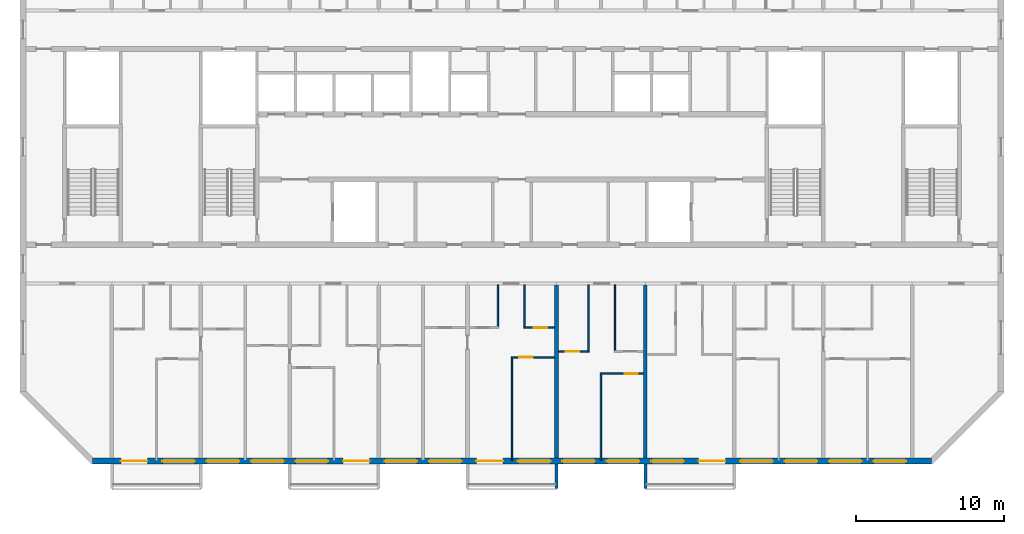
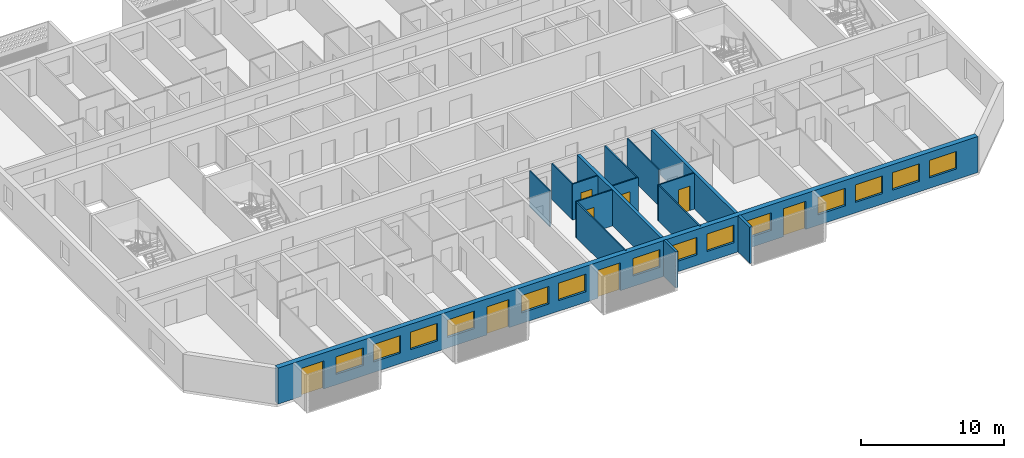
# One storey, part 4 of 29: 15 walls, 14 windows, 8 doors, 22 openings.
"""IFC4 building model written with IfcOpenShell, lengths in metres."""

from ifc_helpers import new_model, si_unit, direction, frame, frame_2d, origin, place, context, subcontext, project, spatial, polyline, rectangle, outline, extrude, source, transform, mapped, material, layer, layer_set, type_object, element, fill, save


model = new_model("IFC4")

# Units and contexts
model_context = context("Model", 3, precision=1e-05, world=origin(), true_north=direction((0.0, 1.0)))
body_context = subcontext(model_context, "Body", "Model", "MODEL_VIEW")
ifc_project = project(units=[si_unit("LENGTHUNIT", "METRE"), si_unit("AREAUNIT", "SQUARE_METRE"), si_unit("VOLUMEUNIT", "CUBIC_METRE"), si_unit("PLANEANGLEUNIT", "RADIAN"), si_unit("MASSUNIT", "GRAM", prefix="KILO")], contexts=[model_context])

# Site, building, storey
site_placement = place(None, origin())
site = spatial("IfcSite", under=ifc_project, at=site_placement, CompositionType="ELEMENT")
building_placement = place(site_placement, origin())
building = spatial("IfcBuilding", under=site, at=building_placement, Name="Poui Terraces", CompositionType="ELEMENT")
storey_placement = place(building_placement, frame((0.0, 0.0, 231.300048828125)))
storey = spatial("IfcBuildingStorey", under=building, at=storey_placement, Name="L64", CompositionType="ELEMENT", Elevation=231.300048828125)

# Walls
ifc_material_1 = material(Name="Concrete 50 MPa", Category="concrete")
ifc_layer_1 = layer(ifc_material_1, 0.25)
ifc_layer_set_1 = layer_set([ifc_layer_1], Name="Concrete 50 MPa")
wall_type_1 = type_object("IfcWallType", Name="CROSS WALL 250 50MPa", PredefinedType="SHEAR", material=ifc_layer_set_1)
for number, where, z_axis, x_axis, name in (
    (1, (54.0, 0.199951171875, 0.0), (0.0, 0.0, 1.0), (0.0, 1.0, 0.0), "CROSS WALL LINE 10 SOUTH"),
    (2, (60.0, 0.199951171875, 0.0), (0.0, 0.0, 1.0), (0.0, 1.0, 0.0), "CROSS WALL LINE 11 SOUTH"),
):
    element("IfcWall", number, at=place(storey_placement, frame(where, z_axis=z_axis, x_axis=x_axis)), inside=storey, type_object=wall_type_1, Name=name, PredefinedType="SHEAR", context=body_context, shape_type="SweptSolid", body=[
        extrude(rectangle(XDim=11.699951171875, YDim=0.25, at=frame_2d((5.85009765625, 0.0))), origin(), (0.0, 0.0, 1.0), 3.079833984375),
    ])

# Wall, openings, doors, windows
ifc_material_2 = material(Name="Precast concrete 40 MPa", Category="concrete")
ifc_layer_2 = layer(ifc_material_2, 0.39990234375)
ifc_layer_set_2 = layer_set([ifc_layer_2], Name="Precast concrete 40 MPa")
wall_type_2 = type_object("IfcWallType", Name="EXTERNAL WALL 400", PredefinedType="STANDARD", material=ifc_layer_set_2)
wall_1_placement = place(storey_placement, frame((22.682861328125, 0.0, 0.0), z_axis=(0.0, 0.0, 1.0), x_axis=(1.0, 0.0, 0.0)))
wall_1 = element("IfcWall", 3, at=wall_1_placement, inside=storey, type_object=wall_type_2, Name="EXTERNAL WALL S", PredefinedType="STANDARD", context=body_context, shape_type="SweptSolid", body=[
    extrude(rectangle(XDim=56.63427734375, YDim=0.39990234375, at=frame_2d((28.317138671875, 0.0))), origin(), (0.0, 0.0, 1.0), 3.079833984375),
])
opening_1_placement = place(wall_1_placement, frame((1.917236328125, 0.0, 0.0)))
opening_1 = element("IfcOpeningElement", 4, at=opening_1_placement, cuts=wall_1, Name="Opening BD1", PredefinedType="OPENING", context=body_context, shape_type="SweptSolid", body=[
    extrude(rectangle(XDim=1.800048828125, YDim=2.39990234375, at=frame_2d((0.89990234375, 1.199951171875))), frame((0.0, 0.2099609375, 0.0), z_axis=(0.0, -1.0, 0.0), x_axis=(1.0, 0.0, 0.0)), (0.0, 0.0, 1.0), 0.419921875),
])
opening_2_placement = place(wall_1_placement, frame((4.71728515625, 0.0, 0.89990234375)))
opening_2 = element("IfcOpeningElement", 5, at=opening_2_placement, cuts=wall_1, Name="Opening W1", PredefinedType="OPENING", context=body_context, shape_type="SweptSolid", body=[
    extrude(rectangle(XDim=2.199951171875, YDim=1.5, at=frame_2d((1.10009765625, 0.75))), frame((0.0, 0.2099609375, 0.0), z_axis=(0.0, -1.0, 0.0), x_axis=(1.0, 0.0, 0.0)), (0.0, 0.0, 1.0), 0.419921875),
])
opening_3_placement = place(wall_1_placement, frame((7.71728515625, 0.0, 0.89990234375)))
opening_3 = element("IfcOpeningElement", 6, at=opening_3_placement, cuts=wall_1, Name="Opening W1", PredefinedType="OPENING", context=body_context, shape_type="SweptSolid", body=[
    extrude(rectangle(XDim=2.199951171875, YDim=1.5, at=frame_2d((1.10009765625, 0.75))), frame((0.0, 0.2099609375, 0.0), z_axis=(0.0, -1.0, 0.0), x_axis=(1.0, 0.0, 0.0)), (0.0, 0.0, 1.0), 0.419921875),
])
opening_4_placement = place(wall_1_placement, frame((10.71728515625, 0.0, 0.89990234375)))
opening_4 = element("IfcOpeningElement", 7, at=opening_4_placement, cuts=wall_1, Name="Opening W1", PredefinedType="OPENING", context=body_context, shape_type="SweptSolid", body=[
    extrude(rectangle(XDim=2.199951171875, YDim=1.5, at=frame_2d((1.10009765625, 0.75))), frame((0.0, 0.2099609375, 0.0), z_axis=(0.0, -1.0, 0.0), x_axis=(1.0, 0.0, 0.0)), (0.0, 0.0, 1.0), 0.419921875),
])
opening_5_placement = place(wall_1_placement, frame((13.71728515625, 0.0, 0.89990234375)))
opening_5 = element("IfcOpeningElement", 8, at=opening_5_placement, cuts=wall_1, Name="Opening W1", PredefinedType="OPENING", context=body_context, shape_type="SweptSolid", body=[
    extrude(rectangle(XDim=2.199951171875, YDim=1.5, at=frame_2d((1.10009765625, 0.75))), frame((0.0, 0.2099609375, 0.0), z_axis=(0.0, -1.0, 0.0), x_axis=(1.0, 0.0, 0.0)), (0.0, 0.0, 1.0), 0.419921875),
])
opening_6_placement = place(wall_1_placement, frame((16.917236328125, 0.0, 0.0)))
opening_6 = element("IfcOpeningElement", 9, at=opening_6_placement, cuts=wall_1, Name="Opening BD1", PredefinedType="OPENING", context=body_context, shape_type="SweptSolid", body=[
    extrude(rectangle(XDim=1.800048828125, YDim=2.39990234375, at=frame_2d((0.89990234375, 1.199951171875))), frame((0.0, 0.2099609375, 0.0), z_axis=(0.0, -1.0, 0.0), x_axis=(1.0, 0.0, 0.0)), (0.0, 0.0, 1.0), 0.419921875),
])
opening_7_placement = place(wall_1_placement, frame((19.71728515625, 0.0, 0.89990234375)))
opening_7 = element("IfcOpeningElement", 10, at=opening_7_placement, cuts=wall_1, Name="Opening W1", PredefinedType="OPENING", context=body_context, shape_type="SweptSolid", body=[
    extrude(rectangle(XDim=2.199951171875, YDim=1.5, at=frame_2d((1.10009765625, 0.75))), frame((0.0, 0.2099609375, 0.0), z_axis=(0.0, -1.0, 0.0), x_axis=(1.0, 0.0, 0.0)), (0.0, 0.0, 1.0), 0.419921875),
])
opening_8_placement = place(wall_1_placement, frame((22.71728515625, 0.0, 0.89990234375)))
opening_8 = element("IfcOpeningElement", 11, at=opening_8_placement, cuts=wall_1, Name="Opening W1", PredefinedType="OPENING", context=body_context, shape_type="SweptSolid", body=[
    extrude(rectangle(XDim=2.199951171875, YDim=1.5, at=frame_2d((1.10009765625, 0.75))), frame((0.0, 0.2099609375, 0.0), z_axis=(0.0, -1.0, 0.0), x_axis=(1.0, 0.0, 0.0)), (0.0, 0.0, 1.0), 0.419921875),
])
opening_9_placement = place(wall_1_placement, frame((25.917236328125, 0.0, 0.0)))
opening_9 = element("IfcOpeningElement", 12, at=opening_9_placement, cuts=wall_1, Name="Opening BD1", PredefinedType="OPENING", context=body_context, shape_type="SweptSolid", body=[
    extrude(rectangle(XDim=1.800048828125, YDim=2.39990234375, at=frame_2d((0.89990234375, 1.199951171875))), frame((0.0, 0.2099609375, 0.0), z_axis=(0.0, -1.0, 0.0), x_axis=(1.0, 0.0, 0.0)), (0.0, 0.0, 1.0), 0.419921875),
])
opening_10_placement = place(wall_1_placement, frame((28.71728515625, 0.0, 0.89990234375)))
opening_10 = element("IfcOpeningElement", 13, at=opening_10_placement, cuts=wall_1, Name="Opening W1", PredefinedType="OPENING", context=body_context, shape_type="SweptSolid", body=[
    extrude(rectangle(XDim=2.199951171875, YDim=1.5, at=frame_2d((1.10009765625, 0.75))), frame((0.0, 0.2099609375, 0.0), z_axis=(0.0, -1.0, 0.0), x_axis=(1.0, 0.0, 0.0)), (0.0, 0.0, 1.0), 0.419921875),
])
opening_11_placement = place(wall_1_placement, frame((31.71728515625, 0.0, 0.89990234375)))
opening_11 = element("IfcOpeningElement", 14, at=opening_11_placement, cuts=wall_1, Name="Opening W1", PredefinedType="OPENING", context=body_context, shape_type="SweptSolid", body=[
    extrude(rectangle(XDim=2.199951171875, YDim=1.5, at=frame_2d((1.10009765625, 0.75))), frame((0.0, 0.2099609375, 0.0), z_axis=(0.0, -1.0, 0.0), x_axis=(1.0, 0.0, 0.0)), (0.0, 0.0, 1.0), 0.419921875),
])
opening_12_placement = place(wall_1_placement, frame((34.71728515625, 0.0, 0.89990234375)))
opening_12 = element("IfcOpeningElement", 15, at=opening_12_placement, cuts=wall_1, Name="Opening W1", PredefinedType="OPENING", context=body_context, shape_type="SweptSolid", body=[
    extrude(rectangle(XDim=2.199951171875, YDim=1.5, at=frame_2d((1.10009765625, 0.75))), frame((0.0, 0.2099609375, 0.0), z_axis=(0.0, -1.0, 0.0), x_axis=(1.0, 0.0, 0.0)), (0.0, 0.0, 1.0), 0.419921875),
])
opening_13_placement = place(wall_1_placement, frame((37.71728515625, 0.0, 0.89990234375)))
opening_13 = element("IfcOpeningElement", 16, at=opening_13_placement, cuts=wall_1, Name="Opening W1", PredefinedType="OPENING", context=body_context, shape_type="SweptSolid", body=[
    extrude(rectangle(XDim=2.199951171875, YDim=1.5, at=frame_2d((1.10009765625, 0.75))), frame((0.0, 0.2099609375, 0.0), z_axis=(0.0, -1.0, 0.0), x_axis=(1.0, 0.0, 0.0)), (0.0, 0.0, 1.0), 0.419921875),
])
opening_14_placement = place(wall_1_placement, frame((40.917236328125, 0.0, 0.0)))
opening_14 = element("IfcOpeningElement", 17, at=opening_14_placement, cuts=wall_1, Name="Opening BD1", PredefinedType="OPENING", context=body_context, shape_type="SweptSolid", body=[
    extrude(rectangle(XDim=1.800048828125, YDim=2.39990234375, at=frame_2d((0.89990234375, 1.199951171875))), frame((0.0, 0.2099609375, 0.0), z_axis=(0.0, -1.0, 0.0), x_axis=(1.0, 0.0, 0.0)), (0.0, 0.0, 1.0), 0.419921875),
])
opening_15_placement = place(wall_1_placement, frame((43.71728515625, 0.0, 0.89990234375)))
opening_15 = element("IfcOpeningElement", 18, at=opening_15_placement, cuts=wall_1, Name="Opening W1", PredefinedType="OPENING", context=body_context, shape_type="SweptSolid", body=[
    extrude(rectangle(XDim=2.199951171875, YDim=1.5, at=frame_2d((1.10009765625, 0.75))), frame((0.0, 0.2099609375, 0.0), z_axis=(0.0, -1.0, 0.0), x_axis=(1.0, 0.0, 0.0)), (0.0, 0.0, 1.0), 0.419921875),
])
opening_16_placement = place(wall_1_placement, frame((46.71728515625, 0.0, 0.89990234375)))
opening_16 = element("IfcOpeningElement", 19, at=opening_16_placement, cuts=wall_1, Name="Opening W1", PredefinedType="OPENING", context=body_context, shape_type="SweptSolid", body=[
    extrude(rectangle(XDim=2.199951171875, YDim=1.5, at=frame_2d((1.10009765625, 0.75))), frame((0.0, 0.2099609375, 0.0), z_axis=(0.0, -1.0, 0.0), x_axis=(1.0, 0.0, 0.0)), (0.0, 0.0, 1.0), 0.419921875),
])
opening_17_placement = place(wall_1_placement, frame((49.71728515625, 0.0, 0.89990234375)))
opening_17 = element("IfcOpeningElement", 20, at=opening_17_placement, cuts=wall_1, Name="Opening W1", PredefinedType="OPENING", context=body_context, shape_type="SweptSolid", body=[
    extrude(rectangle(XDim=2.199951171875, YDim=1.5, at=frame_2d((1.10009765625, 0.75))), frame((0.0, 0.2099609375, 0.0), z_axis=(0.0, -1.0, 0.0), x_axis=(1.0, 0.0, 0.0)), (0.0, 0.0, 1.0), 0.419921875),
])
opening_18_placement = place(wall_1_placement, frame((52.71728515625, 0.0, 0.89990234375)))
opening_18 = element("IfcOpeningElement", 21, at=opening_18_placement, cuts=wall_1, Name="Opening W1", PredefinedType="OPENING", context=body_context, shape_type="SweptSolid", body=[
    extrude(rectangle(XDim=2.199951171875, YDim=1.5, at=frame_2d((1.10009765625, 0.75))), frame((0.0, 0.2099609375, 0.0), z_axis=(0.0, -1.0, 0.0), x_axis=(1.0, 0.0, 0.0)), (0.0, 0.0, 1.0), 0.419921875),
])
ifc_material_3 = material(Name="Clear glass in aluminium frame", Category="aluminium")
door_type_1 = type_object("IfcDoorType", Name="BALCONY DOOR 1800X2400", OperationType="DOUBLE_DOOR_SLIDING", PredefinedType="DOOR", material=ifc_material_3)
door_1_placement = place(opening_1_placement, origin())
door_1 = element("IfcDoor", 22, at=door_1_placement, inside=storey, type_object=door_type_1, Name="BD1 BALCONY DOOR", OperationType="DOUBLE_DOOR_SLIDING", OverallHeight=2.39990234375, OverallWidth=1.800048828125, PredefinedType="DOOR", context=body_context, shape_type="SweptSolid", body=[
    extrude(rectangle(XDim=1.800048828125, YDim=2.39990234375, at=frame_2d((0.89990234375, 1.199951171875))), frame((0.0, 0.02490234375, 0.0), z_axis=(0.0, -1.0, 0.0), x_axis=(1.0, 0.0, 0.0)), (0.0, 0.0, 1.0), 0.050048828125),
])
fill(opening_1, door_1)
door_2_placement = place(opening_6_placement, origin())
door_2 = element("IfcDoor", 23, at=door_2_placement, inside=storey, type_object=door_type_1, Name="BD1 BALCONY DOOR", OperationType="DOUBLE_DOOR_SLIDING", OverallHeight=2.39990234375, OverallWidth=1.800048828125, PredefinedType="DOOR", context=body_context, shape_type="SweptSolid", body=[
    extrude(rectangle(XDim=1.800048828125, YDim=2.39990234375, at=frame_2d((0.89990234375, 1.199951171875))), frame((0.0, 0.02490234375, 0.0), z_axis=(0.0, -1.0, 0.0), x_axis=(1.0, 0.0, 0.0)), (0.0, 0.0, 1.0), 0.050048828125),
])
fill(opening_6, door_2)
door_3_placement = place(opening_9_placement, origin())
door_3 = element("IfcDoor", 24, at=door_3_placement, inside=storey, type_object=door_type_1, Name="BD1 BALCONY DOOR", OperationType="DOUBLE_DOOR_SLIDING", OverallHeight=2.39990234375, OverallWidth=1.800048828125, PredefinedType="DOOR", context=body_context, shape_type="SweptSolid", body=[
    extrude(rectangle(XDim=1.800048828125, YDim=2.39990234375, at=frame_2d((0.89990234375, 1.199951171875))), frame((0.0, 0.02490234375, 0.0), z_axis=(0.0, -1.0, 0.0), x_axis=(1.0, 0.0, 0.0)), (0.0, 0.0, 1.0), 0.050048828125),
])
fill(opening_9, door_3)
door_4_placement = place(opening_14_placement, origin())
door_4 = element("IfcDoor", 25, at=door_4_placement, inside=storey, type_object=door_type_1, Name="BD1 BALCONY DOOR", OperationType="DOUBLE_DOOR_SLIDING", OverallHeight=2.39990234375, OverallWidth=1.800048828125, PredefinedType="DOOR", context=body_context, shape_type="SweptSolid", body=[
    extrude(rectangle(XDim=1.800048828125, YDim=2.39990234375, at=frame_2d((0.89990234375, 1.199951171875))), frame((0.0, 0.02490234375, 0.0), z_axis=(0.0, -1.0, 0.0), x_axis=(1.0, 0.0, 0.0)), (0.0, 0.0, 1.0), 0.050048828125),
])
fill(opening_14, door_4)
window_type = type_object("IfcWindowType", Name="WINDOW 2200X1500", PartitioningType="DOUBLE_PANEL_HORIZONTAL", PredefinedType="WINDOW", material=ifc_material_3)
window_1_placement = place(opening_2_placement, origin())
window_1 = element("IfcWindow", 26, at=window_1_placement, inside=storey, type_object=window_type, Name="W1 WINDOW", OverallHeight=1.5, OverallWidth=2.199951171875, PartitioningType="DOUBLE_PANEL_HORIZONTAL", PredefinedType="WINDOW", context=body_context, shape_type="SweptSolid", body=[
    extrude(rectangle(XDim=2.199951171875, YDim=1.5, at=frame_2d((1.10009765625, 0.75))), frame((0.0, 0.030029296875, 0.0), z_axis=(0.0, -1.0, 0.0), x_axis=(1.0, 0.0, 0.0)), (0.0, 0.0, 1.0), 0.06005859375),
])
fill(opening_2, window_1)
window_2_placement = place(opening_3_placement, origin())
window_2 = element("IfcWindow", 27, at=window_2_placement, inside=storey, type_object=window_type, Name="W1 WINDOW", OverallHeight=1.5, OverallWidth=2.199951171875, PartitioningType="DOUBLE_PANEL_HORIZONTAL", PredefinedType="WINDOW", context=body_context, shape_type="SweptSolid", body=[
    extrude(rectangle(XDim=2.199951171875, YDim=1.5, at=frame_2d((1.10009765625, 0.75))), frame((0.0, 0.030029296875, 0.0), z_axis=(0.0, -1.0, 0.0), x_axis=(1.0, 0.0, 0.0)), (0.0, 0.0, 1.0), 0.06005859375),
])
fill(opening_3, window_2)
window_3_placement = place(opening_4_placement, origin())
window_3 = element("IfcWindow", 28, at=window_3_placement, inside=storey, type_object=window_type, Name="W1 WINDOW", OverallHeight=1.5, OverallWidth=2.199951171875, PartitioningType="DOUBLE_PANEL_HORIZONTAL", PredefinedType="WINDOW", context=body_context, shape_type="SweptSolid", body=[
    extrude(rectangle(XDim=2.199951171875, YDim=1.5, at=frame_2d((1.10009765625, 0.75))), frame((0.0, 0.030029296875, 0.0), z_axis=(0.0, -1.0, 0.0), x_axis=(1.0, 0.0, 0.0)), (0.0, 0.0, 1.0), 0.06005859375),
])
fill(opening_4, window_3)
window_4_placement = place(opening_5_placement, origin())
window_4 = element("IfcWindow", 29, at=window_4_placement, inside=storey, type_object=window_type, Name="W1 WINDOW", OverallHeight=1.5, OverallWidth=2.199951171875, PartitioningType="DOUBLE_PANEL_HORIZONTAL", PredefinedType="WINDOW", context=body_context, shape_type="SweptSolid", body=[
    extrude(rectangle(XDim=2.199951171875, YDim=1.5, at=frame_2d((1.10009765625, 0.75))), frame((0.0, 0.030029296875, 0.0), z_axis=(0.0, -1.0, 0.0), x_axis=(1.0, 0.0, 0.0)), (0.0, 0.0, 1.0), 0.06005859375),
])
fill(opening_5, window_4)
window_5_placement = place(opening_7_placement, origin())
window_5 = element("IfcWindow", 30, at=window_5_placement, inside=storey, type_object=window_type, Name="W1 WINDOW", OverallHeight=1.5, OverallWidth=2.199951171875, PartitioningType="DOUBLE_PANEL_HORIZONTAL", PredefinedType="WINDOW", context=body_context, shape_type="SweptSolid", body=[
    extrude(rectangle(XDim=2.199951171875, YDim=1.5, at=frame_2d((1.10009765625, 0.75))), frame((0.0, 0.030029296875, 0.0), z_axis=(0.0, -1.0, 0.0), x_axis=(1.0, 0.0, 0.0)), (0.0, 0.0, 1.0), 0.06005859375),
])
fill(opening_7, window_5)
window_6_placement = place(opening_8_placement, origin())
window_6 = element("IfcWindow", 31, at=window_6_placement, inside=storey, type_object=window_type, Name="W1 WINDOW", OverallHeight=1.5, OverallWidth=2.199951171875, PartitioningType="DOUBLE_PANEL_HORIZONTAL", PredefinedType="WINDOW", context=body_context, shape_type="SweptSolid", body=[
    extrude(rectangle(XDim=2.199951171875, YDim=1.5, at=frame_2d((1.10009765625, 0.75))), frame((0.0, 0.030029296875, 0.0), z_axis=(0.0, -1.0, 0.0), x_axis=(1.0, 0.0, 0.0)), (0.0, 0.0, 1.0), 0.06005859375),
])
fill(opening_8, window_6)
window_7_placement = place(opening_10_placement, origin())
window_7 = element("IfcWindow", 32, at=window_7_placement, inside=storey, type_object=window_type, Name="W1 WINDOW", OverallHeight=1.5, OverallWidth=2.199951171875, PartitioningType="DOUBLE_PANEL_HORIZONTAL", PredefinedType="WINDOW", context=body_context, shape_type="SweptSolid", body=[
    extrude(rectangle(XDim=2.199951171875, YDim=1.5, at=frame_2d((1.10009765625, 0.75))), frame((0.0, 0.030029296875, 0.0), z_axis=(0.0, -1.0, 0.0), x_axis=(1.0, 0.0, 0.0)), (0.0, 0.0, 1.0), 0.06005859375),
])
fill(opening_10, window_7)
window_8_placement = place(opening_11_placement, origin())
window_8 = element("IfcWindow", 33, at=window_8_placement, inside=storey, type_object=window_type, Name="W1 WINDOW", OverallHeight=1.5, OverallWidth=2.199951171875, PartitioningType="DOUBLE_PANEL_HORIZONTAL", PredefinedType="WINDOW", context=body_context, shape_type="SweptSolid", body=[
    extrude(rectangle(XDim=2.199951171875, YDim=1.5, at=frame_2d((1.10009765625, 0.75))), frame((0.0, 0.030029296875, 0.0), z_axis=(0.0, -1.0, 0.0), x_axis=(1.0, 0.0, 0.0)), (0.0, 0.0, 1.0), 0.06005859375),
])
fill(opening_11, window_8)
window_9_placement = place(opening_12_placement, origin())
window_9 = element("IfcWindow", 34, at=window_9_placement, inside=storey, type_object=window_type, Name="W1 WINDOW", OverallHeight=1.5, OverallWidth=2.199951171875, PartitioningType="DOUBLE_PANEL_HORIZONTAL", PredefinedType="WINDOW", context=body_context, shape_type="SweptSolid", body=[
    extrude(rectangle(XDim=2.199951171875, YDim=1.5, at=frame_2d((1.10009765625, 0.75))), frame((0.0, 0.030029296875, 0.0), z_axis=(0.0, -1.0, 0.0), x_axis=(1.0, 0.0, 0.0)), (0.0, 0.0, 1.0), 0.06005859375),
])
fill(opening_12, window_9)
window_10_placement = place(opening_13_placement, origin())
window_10 = element("IfcWindow", 35, at=window_10_placement, inside=storey, type_object=window_type, Name="W1 WINDOW", OverallHeight=1.5, OverallWidth=2.199951171875, PartitioningType="DOUBLE_PANEL_HORIZONTAL", PredefinedType="WINDOW", context=body_context, shape_type="SweptSolid", body=[
    extrude(rectangle(XDim=2.199951171875, YDim=1.5, at=frame_2d((1.10009765625, 0.75))), frame((0.0, 0.030029296875, 0.0), z_axis=(0.0, -1.0, 0.0), x_axis=(1.0, 0.0, 0.0)), (0.0, 0.0, 1.0), 0.06005859375),
])
fill(opening_13, window_10)
window_11_placement = place(opening_15_placement, origin())
window_11 = element("IfcWindow", 36, at=window_11_placement, inside=storey, type_object=window_type, Name="W1 WINDOW", OverallHeight=1.5, OverallWidth=2.199951171875, PartitioningType="DOUBLE_PANEL_HORIZONTAL", PredefinedType="WINDOW", context=body_context, shape_type="SweptSolid", body=[
    extrude(rectangle(XDim=2.199951171875, YDim=1.5, at=frame_2d((1.10009765625, 0.75))), frame((0.0, 0.030029296875, 0.0), z_axis=(0.0, -1.0, 0.0), x_axis=(1.0, 0.0, 0.0)), (0.0, 0.0, 1.0), 0.06005859375),
])
fill(opening_15, window_11)
window_12_placement = place(opening_16_placement, origin())
window_12 = element("IfcWindow", 37, at=window_12_placement, inside=storey, type_object=window_type, Name="W1 WINDOW", OverallHeight=1.5, OverallWidth=2.199951171875, PartitioningType="DOUBLE_PANEL_HORIZONTAL", PredefinedType="WINDOW", context=body_context, shape_type="SweptSolid", body=[
    extrude(rectangle(XDim=2.199951171875, YDim=1.5, at=frame_2d((1.10009765625, 0.75))), frame((0.0, 0.030029296875, 0.0), z_axis=(0.0, -1.0, 0.0), x_axis=(1.0, 0.0, 0.0)), (0.0, 0.0, 1.0), 0.06005859375),
])
fill(opening_16, window_12)
window_13_placement = place(opening_17_placement, origin())
window_13 = element("IfcWindow", 38, at=window_13_placement, inside=storey, type_object=window_type, Name="W1 WINDOW", OverallHeight=1.5, OverallWidth=2.199951171875, PartitioningType="DOUBLE_PANEL_HORIZONTAL", PredefinedType="WINDOW", context=body_context, shape_type="SweptSolid", body=[
    extrude(rectangle(XDim=2.199951171875, YDim=1.5, at=frame_2d((1.10009765625, 0.75))), frame((0.0, 0.030029296875, 0.0), z_axis=(0.0, -1.0, 0.0), x_axis=(1.0, 0.0, 0.0)), (0.0, 0.0, 1.0), 0.06005859375),
])
fill(opening_17, window_13)
window_14_placement = place(opening_18_placement, origin())
window_14 = element("IfcWindow", 39, at=window_14_placement, inside=storey, type_object=window_type, Name="W1 WINDOW", OverallHeight=1.5, OverallWidth=2.199951171875, PartitioningType="DOUBLE_PANEL_HORIZONTAL", PredefinedType="WINDOW", context=body_context, shape_type="SweptSolid", body=[
    extrude(rectangle(XDim=2.199951171875, YDim=1.5, at=frame_2d((1.10009765625, 0.75))), frame((0.0, 0.030029296875, 0.0), z_axis=(0.0, -1.0, 0.0), x_axis=(1.0, 0.0, 0.0)), (0.0, 0.0, 1.0), 0.06005859375),
])
fill(opening_18, window_14)

# Wall, opening, door
ifc_material_4 = material(Name="Plasterboard partition")
ifc_layer_3 = layer(ifc_material_4, 0.10009765625)
ifc_layer_set_3 = layer_set([ifc_layer_3], Name="Plasterboard partition")
wall_type_3 = type_object("IfcWallType", Name="FLAT PARTITION 100", PredefinedType="PARTITIONING", material=ifc_layer_set_3)
wall_2_placement = place(storey_placement, frame((56.949951171875, 5.89990234375, 0.0), z_axis=(0.0, 0.0, 1.0), x_axis=(1.0, 0.0, 0.0)))
wall_2 = element("IfcWall", 40, at=wall_2_placement, inside=storey, type_object=wall_type_3, Name="FLAT PARTITION 100", PredefinedType="PARTITIONING", context=body_context, shape_type="SweptSolid", body=[
    extrude(rectangle(XDim=2.9150390625, YDim=0.10009765625, at=frame_2d((1.45751953125, 0.0))), origin(), (0.0, 0.0, 1.0), 3.079833984375),
])
opening_19_placement = place(wall_2_placement, frame((1.64990234375, 0.0, 0.0)))
opening_19 = element("IfcOpeningElement", 41, at=opening_19_placement, cuts=wall_2, Name="Opening D90", PredefinedType="OPENING", context=body_context, shape_type="SweptSolid", body=[
    extrude(rectangle(XDim=0.89990234375, YDim=2.10009765625, at=frame_2d((0.449951171875, 1.050048828125))), frame((0.0, 0.06005859375, 0.0), z_axis=(0.0, -1.0, 0.0), x_axis=(1.0, 0.0, 0.0)), (0.0, 0.0, 1.0), 0.1201171875),
])
ifc_material_5 = material(Name="Solid core timber door", Category="wood")
door_type_2 = type_object("IfcDoorType", Name="INTERNAL DOOR 900 X 2100", OperationType="NOTDEFINED", PredefinedType="DOOR", material=ifc_material_5)
door_5_placement = place(opening_19_placement, origin())
door_5 = element("IfcDoor", 42, at=door_5_placement, inside=storey, type_object=door_type_2, Name="INTERNAL DOOR 087", OperationType="SINGLE_SWING_LEFT", OverallHeight=2.10009765625, OverallWidth=0.89990234375, PredefinedType="DOOR", context=body_context, shape_type="SweptSolid", body=[
    extrude(rectangle(XDim=0.89990234375, YDim=2.10009765625, at=frame_2d((0.449951171875, 1.050048828125))), frame((0.0, 0.02490234375, 0.0), z_axis=(0.0, -1.0, 0.0), x_axis=(1.0, 0.0, 0.0)), (0.0, 0.0, 1.0), 0.050048828125),
])
fill(opening_19, door_5)

wall_3_placement = place(storey_placement, frame((50.949951171875, 7.0, 0.0), z_axis=(0.0, 0.0, 1.0), x_axis=(1.0, 0.0, 0.0)))
wall_3 = element("IfcWall", 43, at=wall_3_placement, inside=storey, type_object=wall_type_3, Name="FLAT PARTITION 100", PredefinedType="PARTITIONING", context=body_context, shape_type="SweptSolid", body=[
    extrude(rectangle(XDim=2.9150390625, YDim=0.10009765625, at=frame_2d((1.45751953125, 0.0))), origin(), (0.0, 0.0, 1.0), 3.079833984375),
])
opening_20_placement = place(wall_3_placement, frame((0.550048828125, 0.0, 0.0)))
opening_20 = element("IfcOpeningElement", 44, at=opening_20_placement, cuts=wall_3, Name="Opening D90", PredefinedType="OPENING", context=body_context, shape_type="SweptSolid", body=[
    extrude(rectangle(XDim=0.89990234375, YDim=2.10009765625, at=frame_2d((0.449951171875, 1.050048828125))), frame((0.0, 0.06005859375, 0.0), z_axis=(0.0, -1.0, 0.0), x_axis=(1.0, 0.0, 0.0)), (0.0, 0.0, 1.0), 0.1201171875),
])
door_6_placement = place(opening_20_placement, origin())
door_6 = element("IfcDoor", 45, at=door_6_placement, inside=storey, type_object=door_type_2, Name="INTERNAL DOOR 082", OperationType="SINGLE_SWING_RIGHT", OverallHeight=2.10009765625, OverallWidth=0.89990234375, PredefinedType="DOOR", context=body_context, shape_type="SweptSolid", body=[
    extrude(rectangle(XDim=0.89990234375, YDim=2.10009765625, at=frame_2d((0.449951171875, 1.050048828125))), frame((0.0, 0.02490234375, 0.0), z_axis=(0.0, -1.0, 0.0), x_axis=(1.0, 0.0, 0.0)), (0.0, 0.0, 1.0), 0.050048828125),
])
fill(opening_20, door_6)

wall_4_placement = place(storey_placement, frame((54.135009765625, 7.39990234375, 0.0), z_axis=(0.0, 0.0, 1.0), x_axis=(1.0, 0.0, 0.0)))
wall_4 = element("IfcWall", 46, at=wall_4_placement, inside=storey, type_object=wall_type_3, Name="FLAT PARTITION 100", PredefinedType="PARTITIONING", context=body_context, shape_type="SweptSolid", body=[
    extrude(rectangle(XDim=2.06494140625, YDim=0.10009765625, at=frame_2d((1.032470703125, 0.0))), origin(), (0.0, 0.0, 1.0), 3.079833984375),
])
opening_21_placement = place(wall_4_placement, frame((0.489990234375, 0.0, 0.0)))
opening_21 = element("IfcOpeningElement", 47, at=opening_21_placement, cuts=wall_4, Name="Opening D90", PredefinedType="OPENING", context=body_context, shape_type="SweptSolid", body=[
    extrude(rectangle(XDim=0.89990234375, YDim=2.10009765625, at=frame_2d((0.449951171875, 1.050048828125))), frame((0.0, 0.06005859375, 0.0), z_axis=(0.0, -1.0, 0.0), x_axis=(1.0, 0.0, 0.0)), (0.0, 0.0, 1.0), 0.1201171875),
])
door_7_placement = place(opening_21_placement, origin())
door_7 = element("IfcDoor", 48, at=door_7_placement, inside=storey, type_object=door_type_2, Name="INTERNAL DOOR 084", OperationType="SINGLE_SWING_LEFT", OverallHeight=2.10009765625, OverallWidth=0.89990234375, PredefinedType="DOOR", context=body_context, shape_type="SweptSolid", body=[
    extrude(rectangle(XDim=0.89990234375, YDim=2.10009765625, at=frame_2d((0.449951171875, 1.050048828125))), frame((0.0, 0.02490234375, 0.0), z_axis=(0.0, -1.0, 0.0), x_axis=(1.0, 0.0, 0.0)), (0.0, 0.0, 1.0), 0.050048828125),
])
fill(opening_21, door_7)

wall_5_placement = place(storey_placement, frame((51.800048828125, 9.0, 0.0), z_axis=(0.0, 0.0, 1.0), x_axis=(1.0, 0.0, 0.0)))
wall_5 = element("IfcWall", 49, at=wall_5_placement, inside=storey, type_object=wall_type_3, Name="FLAT PARTITION 100", PredefinedType="PARTITIONING", context=body_context, shape_type="SweptSolid", body=[
    extrude(rectangle(XDim=2.06494140625, YDim=0.10009765625, at=frame_2d((1.032470703125, 0.0))), origin(), (0.0, 0.0, 1.0), 3.079833984375),
])
opening_22_placement = place(wall_5_placement, frame((0.675048828125, 0.0, 0.0)))
opening_22 = element("IfcOpeningElement", 50, at=opening_22_placement, cuts=wall_5, Name="Opening D90", PredefinedType="OPENING", context=body_context, shape_type="SweptSolid", body=[
    extrude(rectangle(XDim=0.89990234375, YDim=2.10009765625, at=frame_2d((0.449951171875, 1.050048828125))), frame((0.0, 0.06005859375, 0.0), z_axis=(0.0, -1.0, 0.0), x_axis=(1.0, 0.0, 0.0)), (0.0, 0.0, 1.0), 0.1201171875),
])
door_8_placement = place(opening_22_placement, origin())
door_8 = element("IfcDoor", 51, at=door_8_placement, inside=storey, type_object=door_type_2, Name="INTERNAL DOOR 083", OperationType="SINGLE_SWING_LEFT", OverallHeight=2.10009765625, OverallWidth=0.89990234375, PredefinedType="DOOR", context=body_context, shape_type="SweptSolid", body=[
    extrude(rectangle(XDim=0.89990234375, YDim=2.10009765625, at=frame_2d((0.449951171875, 1.050048828125))), frame((0.0, 0.02490234375, 0.0), z_axis=(0.0, -1.0, 0.0), x_axis=(1.0, 0.0, 0.0)), (0.0, 0.0, 1.0), 0.050048828125),
])
fill(opening_22, door_8)

# Walls
wall_6_placement = place(storey_placement, frame((50.050048828125, 9.050048828125, 0.0), z_axis=(0.0, 0.0, 1.0), x_axis=(0.0, 1.0, 0.0)))
element("IfcWall", 52, at=wall_6_placement, inside=storey, type_object=wall_type_3, Name="FLAT PARTITION 100", PredefinedType="PARTITIONING", context=body_context, shape_type="SweptSolid", body=[
    extrude(rectangle(XDim=2.83984375, YDim=0.10009765625, at=frame_2d((1.419921875, 0.0))), origin(), (0.0, 0.0, 1.0), 3.079833984375),
])
wall_7_placement = place(storey_placement, frame((51.0, 0.06005859375, 0.0), z_axis=(0.0, 0.0, 1.0), x_axis=(0.0, 1.0, 0.0)))
element("IfcWall", 53, at=wall_7_placement, inside=storey, type_object=wall_type_3, Name="FLAT PARTITION 100", PredefinedType="PARTITIONING", context=body_context, shape_type="SweptSolid", body=[
    extrude(rectangle(XDim=6.889892578125, YDim=0.10009765625, at=frame_2d((3.44482421875, 0.0))), origin(), (0.0, 0.0, 1.0), 3.079833984375),
])
wall_8_placement = place(storey_placement, frame((51.85009765625, 9.050048828125, 0.0), z_axis=(0.0, 0.0, 1.0), x_axis=(0.0, 1.0, 0.0)))
element("IfcWall", 54, at=wall_8_placement, inside=storey, type_object=wall_type_3, Name="FLAT PARTITION 100", PredefinedType="PARTITIONING", context=body_context, shape_type="SweptSolid", body=[
    extrude(rectangle(XDim=2.83984375, YDim=0.10009765625, at=frame_2d((1.419921875, 0.0))), origin(), (0.0, 0.0, 1.0), 3.079833984375),
])
wall_9_placement = place(storey_placement, frame((56.14990234375, 7.449951171875, 0.0), z_axis=(0.0, 0.0, 1.0), x_axis=(0.0, 1.0, 0.0)))
element("IfcWall", 55, at=wall_9_placement, inside=storey, type_object=wall_type_3, Name="FLAT PARTITION 100", PredefinedType="PARTITIONING", context=body_context, shape_type="SweptSolid", body=[
    extrude(rectangle(XDim=4.43994140625, YDim=0.10009765625, at=frame_2d((2.219970703125, 0.0))), origin(), (0.0, 0.0, 1.0), 3.079833984375),
])
wall_10_placement = place(storey_placement, frame((57.0, 0.06005859375, 0.0), z_axis=(0.0, 0.0, 1.0), x_axis=(0.0, 1.0, 0.0)))
element("IfcWall", 56, at=wall_10_placement, inside=storey, type_object=wall_type_3, Name="FLAT PARTITION 100", PredefinedType="PARTITIONING", context=body_context, shape_type="SweptSolid", body=[
    extrude(rectangle(XDim=5.7900390625, YDim=0.10009765625, at=frame_2d((2.89501953125, 0.0))), origin(), (0.0, 0.0, 1.0), 3.079833984375),
])
wall_11_placement = place(storey_placement, frame((57.949951171875, 7.449951171875, 0.0), z_axis=(0.0, 0.0, 1.0), x_axis=(0.0, 1.0, 0.0)))
element("IfcWall", 57, at=wall_11_placement, inside=storey, type_object=wall_type_3, Name="FLAT PARTITION 100", PredefinedType="PARTITIONING", context=body_context, shape_type="SweptSolid", body=[
    extrude(rectangle(XDim=4.43994140625, YDim=0.10009765625, at=frame_2d((2.219970703125, 0.0))), origin(), (0.0, 0.0, 1.0), 3.079833984375),
])
ifc_layer_4 = layer(ifc_material_2, 0.199951171875)
ifc_layer_set_4 = layer_set([ifc_layer_4], Name="Precast concrete 40 MPa")
wall_type_4 = type_object("IfcWallType", Name="REAR FIN 200", PredefinedType="STANDARD", material=ifc_layer_set_4)
shared_shape = source(origin(), body_context, "Body", "SweptSolid", [
    extrude(outline(polyline([(0.0, 0.0), (0.2001953125, 0.0), (0.2001953125, 1.650146484375), (0.0, 1.650146484375), (0.0, 0.0)])), origin(), (0.0, 0.0, 1.0), 3.099853515625),
])
for number, where, name in (
    (58, (53.89990234375, -1.85009765625, 0.0), "REAR FIN"),
    (59, (59.89990234375, -1.85009765625, 0.0), "REAR FIN"),
):
    element("IfcWall", number, at=place(storey_placement, frame(where)), inside=storey, type_object=wall_type_4, Name=name, PredefinedType="STANDARD", context=body_context, shape_type="MappedRepresentation", body=[
        mapped(shared_shape, transform((0.0, 0.0, 0.0))),
    ])

save(model, "model.ifc")
